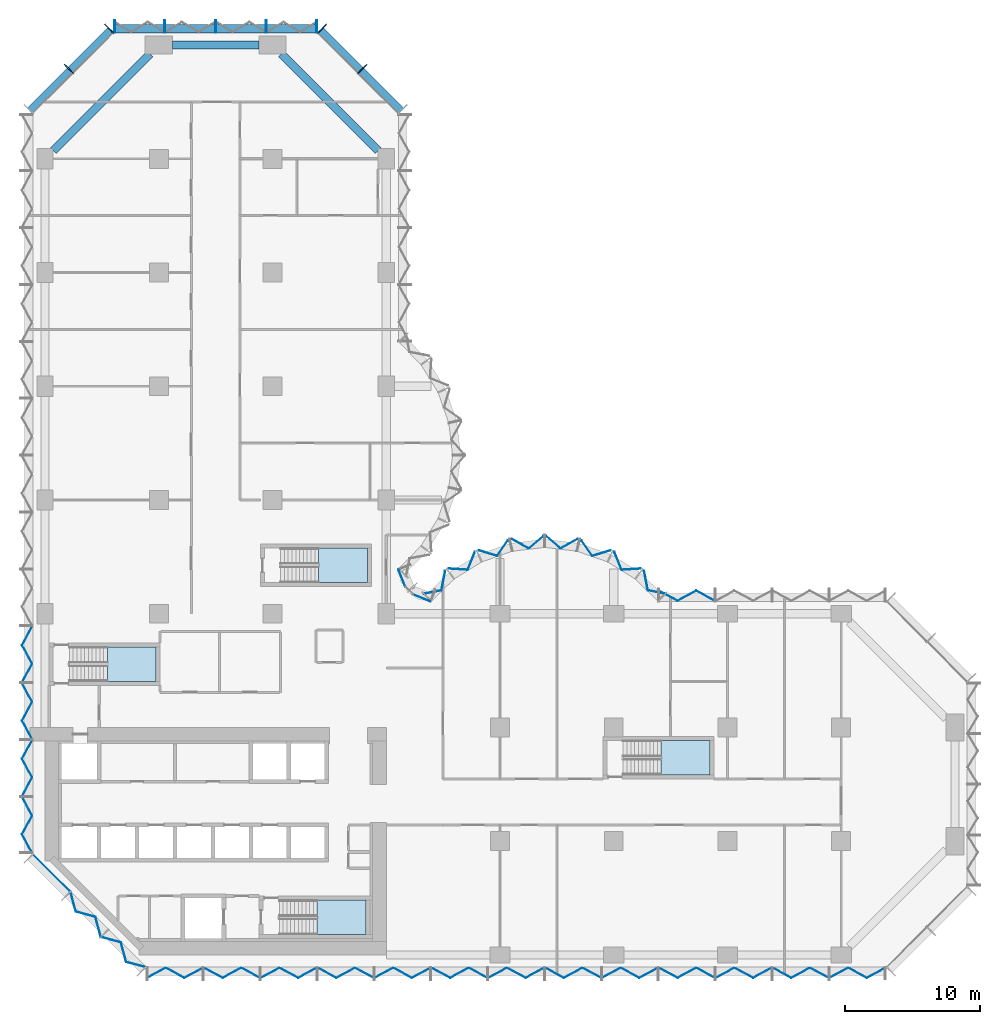
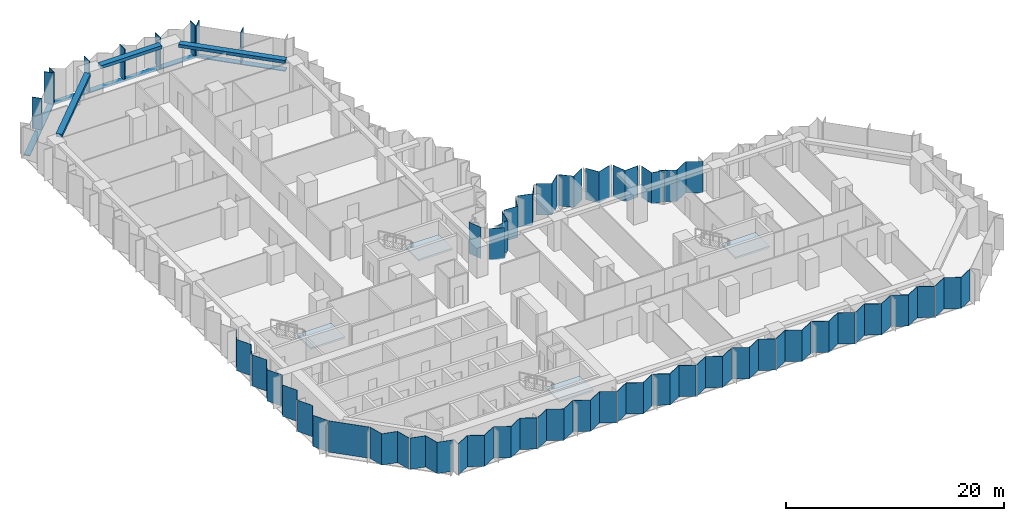
# One storey, part 5 of 15: 31 plates, 12 members, 4 slabs, 3 beams, 13 elements without a shape of their own.
"""IFC4 building model written with IfcOpenShell, lengths in metres."""

from ifc_helpers import new_model, si_unit, direction, frame, origin, origin_2d, place, context, subcontext, project, spatial, polyline, rectangle, outline, extrude, material, layer, layer_set, material_profile, profile_set, type_object, element, aggregate, save


model = new_model("IFC4")

# Units and contexts
model_context = context("Model", 3, precision=1e-05, world=origin(), true_north=direction((0.0, 1.0)))
body_context = subcontext(model_context, "Body", "Model", "MODEL_VIEW")
ifc_project = project(units=[si_unit("LENGTHUNIT", "METRE"), si_unit("AREAUNIT", "SQUARE_METRE"), si_unit("VOLUMEUNIT", "CUBIC_METRE"), si_unit("PLANEANGLEUNIT", "RADIAN"), si_unit("MASSUNIT", "GRAM", prefix="KILO")], contexts=[model_context])

# Site, building, storey
site_placement = place(None, origin())
site = spatial("IfcSite", under=ifc_project, at=site_placement, CompositionType="ELEMENT")
building_placement = place(site_placement, origin())
building = spatial("IfcBuilding", under=site, at=building_placement, Name="Brevane Broadcast Tower", CompositionType="ELEMENT")
storey_placement = place(building_placement, frame((0.0, 0.0, 72.5)))
storey = spatial("IfcBuildingStorey", under=building, at=storey_placement, Name="L16", CompositionType="ELEMENT", Elevation=72.5)

# Curtain wall, members
ifc_material_1 = material(Name="Aluminium 6063-T6 bronze anodised", Category="aluminium")
curtain_wall_type = type_object("IfcCurtainWallType", Name="CW-1 curtain wall", PredefinedType="NOTDEFINED", material=ifc_material_1)
curtain_wall_1_placement = place(storey_placement, origin())
curtain_wall_1 = element("IfcCurtainWall", 1, at=curtain_wall_1_placement, inside=storey, type_object=curtain_wall_type, Name="CW-1 typical tilted unit L16 north arm north-east chamfer", PredefinedType="NOTDEFINED")
ifc_material_profile_1 = material_profile(ifc_material_1, rectangle(XDim=0.949951171875, YDim=0.070068359375, at=origin_2d()), Name="RECT 70x950")
ifc_profile_set_1 = profile_set([ifc_material_profile_1], Name="Aluminium 6063-T6 bronze anodised")
member_type_1 = type_object("IfcMemberType", Name="CW-1 mullion 70x950", PredefinedType="MULLION", material=ifc_profile_set_1)
member_1_placement = place(storey_placement, frame((23.435791015625, 65.435791015625, -0.14990234375), z_axis=(0.0, 0.0, 1.0), x_axis=(-0.707106781187, -0.707106781187, 0.0)))
member_1 = element("IfcMember", 2, at=member_1_placement, type_object=member_type_1, Name="CW-1 mullion", PredefinedType="MULLION", context=body_context, shape_type="SweptSolid", body=[
    extrude(rectangle(XDim=0.949951171875, YDim=0.070068359375, at=origin_2d()), origin(), (0.0, 0.0, 1.0), 3.5),
])
member_2_placement = place(storey_placement, frame((20.460693359375, 68.4111328125, -0.14990234375), z_axis=(0.0, 0.0, 1.0), x_axis=(-0.707106781187, -0.707106781187, 0.0)))
member_2 = element("IfcMember", 3, at=member_2_placement, type_object=member_type_1, Name="CW-1 mullion", PredefinedType="MULLION", context=body_context, shape_type="SweptSolid", body=[
    extrude(rectangle(XDim=0.949951171875, YDim=0.070068359375, at=origin_2d()), origin(), (0.0, 0.0, 1.0), 3.5),
])

curtain_wall_2_placement = place(storey_placement, origin())
curtain_wall_2 = element("IfcCurtainWall", 4, at=curtain_wall_2_placement, inside=storey, type_object=curtain_wall_type, Name="CW-1 typical tilted unit L16 north end", PredefinedType="NOTDEFINED")
member_3_placement = place(storey_placement, frame((20.06494140625, 68.574951171875, -0.14990234375), z_axis=(0.0, 0.0, 1.0), x_axis=(0.0, -1.0, 0.0)))
member_3 = element("IfcMember", 5, at=member_3_placement, type_object=member_type_1, Name="CW-1 mullion", PredefinedType="MULLION", context=body_context, shape_type="SweptSolid", body=[
    extrude(rectangle(XDim=0.949951171875, YDim=0.070068359375, at=origin_2d()), origin(), (0.0, 0.0, 1.0), 3.5),
])
member_4_placement = place(storey_placement, frame((16.35009765625, 68.574951171875, -0.14990234375), z_axis=(0.0, 0.0, 1.0), x_axis=(0.0, -1.0, 0.0)))
member_4 = element("IfcMember", 6, at=member_4_placement, type_object=member_type_1, Name="CW-1 mullion", PredefinedType="MULLION", context=body_context, shape_type="SweptSolid", body=[
    extrude(rectangle(XDim=0.949951171875, YDim=0.070068359375, at=origin_2d()), origin(), (0.0, 0.0, 1.0), 3.5),
])
member_5_placement = place(storey_placement, frame((12.60009765625, 68.574951171875, -0.14990234375), z_axis=(0.0, 0.0, 1.0), x_axis=(0.0, -1.0, 0.0)))
member_5 = element("IfcMember", 7, at=member_5_placement, type_object=member_type_1, Name="CW-1 mullion", PredefinedType="MULLION", context=body_context, shape_type="SweptSolid", body=[
    extrude(rectangle(XDim=0.949951171875, YDim=0.070068359375, at=origin_2d()), origin(), (0.0, 0.0, 1.0), 3.5),
])
member_6_placement = place(storey_placement, frame((8.85009765625, 68.574951171875, -0.14990234375), z_axis=(0.0, 0.0, 1.0), x_axis=(0.0, -1.0, 0.0)))
member_6 = element("IfcMember", 8, at=member_6_placement, type_object=member_type_1, Name="CW-1 mullion", PredefinedType="MULLION", context=body_context, shape_type="SweptSolid", body=[
    extrude(rectangle(XDim=0.949951171875, YDim=0.070068359375, at=origin_2d()), origin(), (0.0, 0.0, 1.0), 3.5),
])
member_7_placement = place(storey_placement, frame((5.135009765625, 68.574951171875, -0.14990234375), z_axis=(0.0, 0.0, 1.0), x_axis=(0.0, -1.0, 0.0)))
member_7 = element("IfcMember", 9, at=member_7_placement, type_object=member_type_1, Name="CW-1 mullion", PredefinedType="MULLION", context=body_context, shape_type="SweptSolid", body=[
    extrude(rectangle(XDim=0.949951171875, YDim=0.070068359375, at=origin_2d()), origin(), (0.0, 0.0, 1.0), 3.5),
])

curtain_wall_3_placement = place(storey_placement, origin())
curtain_wall_3 = element("IfcCurtainWall", 10, at=curtain_wall_3_placement, inside=storey, type_object=curtain_wall_type, Name="CW-1 typical tilted unit L16 north-west chamfer", PredefinedType="NOTDEFINED")
member_8_placement = place(storey_placement, frame((4.7392578125, 68.4111328125, -0.14990234375), z_axis=(0.0, 0.0, 1.0), x_axis=(0.707106781187, -0.707106781187, 0.0)))
member_8 = element("IfcMember", 11, at=member_8_placement, type_object=member_type_1, Name="CW-1 mullion", PredefinedType="MULLION", context=body_context, shape_type="SweptSolid", body=[
    extrude(rectangle(XDim=0.949951171875, YDim=0.070068359375, at=origin_2d()), origin(), (0.0, 0.0, 1.0), 3.5),
])
member_9_placement = place(storey_placement, frame((1.76416015625, 65.435791015625, -0.14990234375), z_axis=(0.0, 0.0, 1.0), x_axis=(0.707106781187, -0.707106781187, 0.0)))
member_9 = element("IfcMember", 12, at=member_9_placement, type_object=member_type_1, Name="CW-1 mullion", PredefinedType="MULLION", context=body_context, shape_type="SweptSolid", body=[
    extrude(rectangle(XDim=0.949951171875, YDim=0.070068359375, at=origin_2d()), origin(), (0.0, 0.0, 1.0), 3.5),
])

# Member
ifc_material_profile_2 = material_profile(ifc_material_1, rectangle(XDim=0.60009765625, YDim=0.10009765625, at=origin_2d()), Name="RECT 100x600")
ifc_profile_set_2 = profile_set([ifc_material_profile_2], Name="Aluminium 6063-T6 bronze anodised")
member_type_2 = type_object("IfcMemberType", Name="CW-1 transom 100x600", PredefinedType="USERDEFINED", material=ifc_profile_set_2)
member_10_placement = place(storey_placement, frame((26.31201171875, 62.31201171875, -0.199951171875), z_axis=(-0.707106781187, 0.707106781187, 0.0), x_axis=(-0.707106781187, -0.707106781187, 0.0)))
member_10 = element("IfcMember", 13, at=member_10_placement, type_object=member_type_2, Name="CW-1 transom", ObjectType="TRANSOM", PredefinedType="USERDEFINED", context=body_context, shape_type="SweptSolid", body=[
    extrude(rectangle(XDim=0.60009765625, YDim=0.10009765625, at=origin_2d()), origin(), (0.0, 0.0, 1.0), 8.4853515625),
])

aggregate(curtain_wall_1, [member_1, member_2, member_10])

member_11_placement = place(storey_placement, frame((20.10009765625, 68.39990234375, -0.199951171875), z_axis=(-1.0, 0.0, 0.0), x_axis=(0.0, -1.0, 0.0)))
member_11 = element("IfcMember", 14, at=member_11_placement, type_object=member_type_2, Name="CW-1 transom", ObjectType="TRANSOM", PredefinedType="USERDEFINED", context=body_context, shape_type="SweptSolid", body=[
    extrude(rectangle(XDim=0.60009765625, YDim=0.10009765625, at=origin_2d()), origin(), (0.0, 0.0, 1.0), 15.0),
])

aggregate(curtain_wall_2, [member_3, member_4, member_5, member_6, member_7, member_11])

member_12_placement = place(storey_placement, frame((4.887939453125, 68.31201171875, -0.199951171875), z_axis=(-0.707106781187, -0.707106781187, 0.0), x_axis=(0.707106781187, -0.707106781187, 0.0)))
member_12 = element("IfcMember", 15, at=member_12_placement, type_object=member_type_2, Name="CW-1 transom", ObjectType="TRANSOM", PredefinedType="USERDEFINED", context=body_context, shape_type="SweptSolid", body=[
    extrude(rectangle(XDim=0.60009765625, YDim=0.10009765625, at=origin_2d()), origin(), (0.0, 0.0, 1.0), 8.4853515625),
])

aggregate(curtain_wall_3, [member_8, member_9, member_12])

# Beams
ifc_material_2 = material(Name="Concrete C40/50", Category="concrete")
ifc_material_profile_3 = material_profile(ifc_material_2, rectangle(XDim=0.60009765625, YDim=0.35009765625, at=origin_2d()), Name="RC 600x350")
ifc_profile_set_3 = profile_set([ifc_material_profile_3], Name="Concrete C40/50")
beam_type = type_object("IfcBeamType", Name="RC SPANDREL BEAM 600x350 C40/50", PredefinedType="SPANDREL", material=ifc_profile_set_3)
beam_1_placement = place(storey_placement, frame((24.60009765625, 59.39990234375, 3.175048828125), z_axis=(-0.707106781187, 0.707106781187, 0.0), x_axis=(-0.707106781187, -0.707106781187, 0.0)))
element("IfcBeam", 16, at=beam_1_placement, inside=storey, type_object=beam_type, Name="EB1 L16-16", PredefinedType="SPANDREL", context=body_context, shape_type="SweptSolid", body=[
    extrude(rectangle(XDim=0.60009765625, YDim=0.35009765625, at=origin_2d()), origin(), (0.0, 0.0, 1.0), 10.11181640625),
])
beam_2_placement = place(storey_placement, frame((15.800048828125, 67.199951171875, 3.175048828125), z_axis=(-1.0, 0.0, 0.0), x_axis=(0.0, -1.0, 0.0)))
element("IfcBeam", 17, at=beam_2_placement, inside=storey, type_object=beam_type, Name="EB1 L16-17", PredefinedType="SPANDREL", context=body_context, shape_type="SweptSolid", body=[
    extrude(rectangle(XDim=0.60009765625, YDim=0.35009765625, at=origin_2d()), origin(), (0.0, 0.0, 1.0), 6.400146484375),
])
beam_3_placement = place(storey_placement, frame((7.75, 66.550048828125, 3.175048828125), z_axis=(-0.707094708853, -0.707118853314, 0.0), x_axis=(0.707118853314, -0.707094708853, 0.0)))
element("IfcBeam", 18, at=beam_3_placement, inside=storey, type_object=beam_type, Name="EB1 L16-18", PredefinedType="SPANDREL", context=body_context, shape_type="SweptSolid", body=[
    extrude(rectangle(XDim=0.60009765625, YDim=0.35009765625, at=origin_2d()), origin(), (0.0, 0.0, 1.0), 10.111572265625),
])

# Curtain wall, plates
curtain_wall_4_placement = place(storey_placement, origin())
curtain_wall_4 = element("IfcCurtainWall", 19, at=curtain_wall_4_placement, inside=storey, type_object=curtain_wall_type, Name="CW-1 typical tilted unit L16 south face", PredefinedType="NOTDEFINED")
ifc_material_3 = material(Name="Laminated glass bronze-tinted", Category="glass")
ifc_layer_1 = layer(ifc_material_3, 0.0400390625)
ifc_layer_set_1 = layer_set([ifc_layer_1], Name="CW tall glass panel 40")
plate_type = type_object("IfcPlateType", Name="CW tall glass panel 40", PredefinedType="CURTAIN_PANEL", material=ifc_layer_set_1)
plate_1_placement = place(storey_placement, frame((0.0, 0.0, -0.14990234375)))
plate_1 = element("IfcPlate", 20, at=plate_1_placement, type_object=plate_type, Name="CW-1 glass panel", PredefinedType="CURTAIN_PANEL", context=body_context, shape_type="SweptSolid", body=[
    extrude(outline(polyline([(7.534912109375, -1.671630859375), (7.534912109375, -1.717041015625), (8.91162109375, -0.97265625), (10.288330078125, -1.717041015625), (11.6650390625, -0.97265625), (11.6650390625, -0.92724609375), (10.288330078125, -1.671630859375), (8.91162109375, -0.92724609375), (7.534912109375, -1.671630859375)])), origin(), (0.0, 0.0, 1.0), 3.5),
])
plate_2_placement = place(storey_placement, frame((0.0, 0.0, -0.14990234375)))
plate_2 = element("IfcPlate", 21, at=plate_2_placement, type_object=plate_type, Name="CW-1 glass panel", PredefinedType="CURTAIN_PANEL", context=body_context, shape_type="SweptSolid", body=[
    extrude(outline(polyline([(11.735107421875, -0.92724609375), (11.735107421875, -0.97265625), (13.11181640625, -1.717041015625), (14.48828125, -0.97265625), (15.864990234375, -1.717041015625), (15.864990234375, -1.671630859375), (14.48828125, -0.92724609375), (13.11181640625, -1.671630859375), (11.735107421875, -0.92724609375)])), origin(), (0.0, 0.0, 1.0), 3.5),
])
plate_3_placement = place(storey_placement, frame((0.0, 0.0, -0.14990234375)))
plate_3 = element("IfcPlate", 22, at=plate_3_placement, type_object=plate_type, Name="CW-1 glass panel", PredefinedType="CURTAIN_PANEL", context=body_context, shape_type="SweptSolid", body=[
    extrude(outline(polyline([(15.93505859375, -1.671630859375), (15.93505859375, -1.717041015625), (17.311767578125, -0.97265625), (18.688232421875, -1.717041015625), (20.06494140625, -0.97265625), (20.06494140625, -0.92724609375), (18.688232421875, -1.671630859375), (17.311767578125, -0.92724609375), (15.93505859375, -1.671630859375)])), origin(), (0.0, 0.0, 1.0), 3.5),
])
plate_4_placement = place(storey_placement, frame((0.0, 0.0, -0.14990234375)))
plate_4 = element("IfcPlate", 23, at=plate_4_placement, type_object=plate_type, Name="CW-1 glass panel", PredefinedType="CURTAIN_PANEL", context=body_context, shape_type="SweptSolid", body=[
    extrude(outline(polyline([(20.135009765625, -0.92724609375), (20.135009765625, -0.97265625), (21.51171875, -1.717041015625), (22.88818359375, -0.97265625), (24.264892578125, -1.717041015625), (24.264892578125, -1.671630859375), (22.88818359375, -0.92724609375), (21.51171875, -1.671630859375), (20.135009765625, -0.92724609375)])), origin(), (0.0, 0.0, 1.0), 3.5),
])
plate_5_placement = place(storey_placement, frame((0.0, 0.0, -0.14990234375)))
plate_5 = element("IfcPlate", 24, at=plate_5_placement, type_object=plate_type, Name="CW-1 glass panel", PredefinedType="CURTAIN_PANEL", context=body_context, shape_type="SweptSolid", body=[
    extrude(outline(polyline([(24.3349609375, -1.671630859375), (24.3349609375, -1.717041015625), (25.711669921875, -0.97265625), (27.08837890625, -1.717041015625), (28.465087890625, -0.97265625), (28.465087890625, -0.92724609375), (27.08837890625, -1.671630859375), (25.711669921875, -0.92724609375), (24.3349609375, -1.671630859375)])), origin(), (0.0, 0.0, 1.0), 3.5),
])
plate_6_placement = place(storey_placement, frame((0.0, 0.0, -0.14990234375)))
plate_6 = element("IfcPlate", 25, at=plate_6_placement, type_object=plate_type, Name="CW-1 glass panel", PredefinedType="CURTAIN_PANEL", context=body_context, shape_type="SweptSolid", body=[
    extrude(outline(polyline([(28.534912109375, -0.92724609375), (28.534912109375, -0.97265625), (29.91162109375, -1.717041015625), (31.288330078125, -0.97265625), (32.6650390625, -1.717041015625), (32.6650390625, -1.671630859375), (31.288330078125, -0.92724609375), (29.91162109375, -1.671630859375), (28.534912109375, -0.92724609375)])), origin(), (0.0, 0.0, 1.0), 3.5),
])
plate_7_placement = place(storey_placement, frame((0.0, 0.0, -0.14990234375)))
plate_7 = element("IfcPlate", 26, at=plate_7_placement, type_object=plate_type, Name="CW-1 glass panel", PredefinedType="CURTAIN_PANEL", context=body_context, shape_type="SweptSolid", body=[
    extrude(outline(polyline([(32.735107421875, -1.671630859375), (32.735107421875, -1.717041015625), (34.11181640625, -0.97265625), (35.48828125, -1.717041015625), (36.864990234375, -0.97265625), (36.864990234375, -0.92724609375), (35.48828125, -1.671630859375), (34.11181640625, -0.92724609375), (32.735107421875, -1.671630859375)])), origin(), (0.0, 0.0, 1.0), 3.5),
])
plate_8_placement = place(storey_placement, frame((0.0, 0.0, -0.14990234375)))
plate_8 = element("IfcPlate", 27, at=plate_8_placement, type_object=plate_type, Name="CW-1 glass panel", PredefinedType="CURTAIN_PANEL", context=body_context, shape_type="SweptSolid", body=[
    extrude(outline(polyline([(36.93505859375, -0.92724609375), (36.93505859375, -0.97265625), (38.311767578125, -1.717041015625), (39.688232421875, -0.97265625), (41.06494140625, -1.717041015625), (41.06494140625, -1.671630859375), (39.688232421875, -0.92724609375), (38.311767578125, -1.671630859375), (36.93505859375, -0.92724609375)])), origin(), (0.0, 0.0, 1.0), 3.5),
])
plate_9_placement = place(storey_placement, frame((0.0, 0.0, -0.14990234375)))
plate_9 = element("IfcPlate", 28, at=plate_9_placement, type_object=plate_type, Name="CW-1 glass panel", PredefinedType="CURTAIN_PANEL", context=body_context, shape_type="SweptSolid", body=[
    extrude(outline(polyline([(41.135009765625, -1.671630859375), (41.135009765625, -1.717041015625), (42.51171875, -0.97265625), (43.88818359375, -1.717041015625), (45.264892578125, -0.97265625), (45.264892578125, -0.92724609375), (43.88818359375, -1.671630859375), (42.51171875, -0.92724609375), (41.135009765625, -1.671630859375)])), origin(), (0.0, 0.0, 1.0), 3.5),
])
plate_10_placement = place(storey_placement, frame((0.0, 0.0, -0.14990234375)))
plate_10 = element("IfcPlate", 29, at=plate_10_placement, type_object=plate_type, Name="CW-1 glass panel", PredefinedType="CURTAIN_PANEL", context=body_context, shape_type="SweptSolid", body=[
    extrude(outline(polyline([(45.3349609375, -0.92724609375), (45.3349609375, -0.97265625), (46.711669921875, -1.717041015625), (48.08837890625, -0.97265625), (49.465087890625, -1.717041015625), (49.465087890625, -1.671630859375), (48.08837890625, -0.92724609375), (46.711669921875, -1.671630859375), (45.3349609375, -0.92724609375)])), origin(), (0.0, 0.0, 1.0), 3.5),
])
plate_11_placement = place(storey_placement, frame((0.0, 0.0, -0.14990234375)))
plate_11 = element("IfcPlate", 30, at=plate_11_placement, type_object=plate_type, Name="CW-1 glass panel", PredefinedType="CURTAIN_PANEL", context=body_context, shape_type="SweptSolid", body=[
    extrude(outline(polyline([(49.534912109375, -1.671630859375), (49.534912109375, -1.717041015625), (50.91162109375, -0.97265625), (52.288330078125, -1.717041015625), (53.6650390625, -0.97265625), (53.6650390625, -0.92724609375), (52.288330078125, -1.671630859375), (50.91162109375, -0.92724609375), (49.534912109375, -1.671630859375)])), origin(), (0.0, 0.0, 1.0), 3.5),
])
plate_12_placement = place(storey_placement, frame((0.0, 0.0, -0.14990234375)))
plate_12 = element("IfcPlate", 31, at=plate_12_placement, type_object=plate_type, Name="CW-1 glass panel", PredefinedType="CURTAIN_PANEL", context=body_context, shape_type="SweptSolid", body=[
    extrude(outline(polyline([(53.735107421875, -0.92724609375), (53.735107421875, -0.97265625), (55.11181640625, -1.717041015625), (56.48828125, -0.97265625), (57.864990234375, -1.717041015625), (57.864990234375, -1.671630859375), (56.48828125, -0.92724609375), (55.11181640625, -1.671630859375), (53.735107421875, -0.92724609375)])), origin(), (0.0, 0.0, 1.0), 3.5),
])
plate_13_placement = place(storey_placement, frame((0.0, 0.0, -0.14990234375)))
plate_13 = element("IfcPlate", 32, at=plate_13_placement, type_object=plate_type, Name="CW-1 glass panel", PredefinedType="CURTAIN_PANEL", context=body_context, shape_type="SweptSolid", body=[
    extrude(outline(polyline([(57.93505859375, -1.671630859375), (57.93505859375, -1.717041015625), (59.311767578125, -0.97265625), (60.688232421875, -1.717041015625), (62.06494140625, -0.97265625), (62.06494140625, -0.92724609375), (60.688232421875, -1.671630859375), (59.311767578125, -0.92724609375), (57.93505859375, -1.671630859375)])), origin(), (0.0, 0.0, 1.0), 3.5),
])
aggregate(curtain_wall_4, [plate_1, plate_2, plate_3, plate_4, plate_5, plate_6, plate_7, plate_8, plate_9, plate_10, plate_11, plate_12, plate_13])

# Curtain wall, plate
curtain_wall_5_placement = place(storey_placement, origin())
curtain_wall_5 = element("IfcCurtainWall", 33, at=curtain_wall_5_placement, inside=storey, type_object=curtain_wall_type, Name="CW-1 typical tilted unit L16 east arm north face", PredefinedType="NOTDEFINED")
plate_14_placement = place(storey_placement, frame((0.0, 0.0, -0.14990234375)))
plate_14 = element("IfcPlate", 34, at=plate_14_placement, type_object=plate_type, Name="CW-1 glass panel", PredefinedType="CURTAIN_PANEL", context=body_context, shape_type="SweptSolid", body=[
    extrude(outline(polyline([(49.465087890625, 26.127197265625), (49.465087890625, 26.172607421875), (48.08837890625, 26.9169921875), (46.711669921875, 26.172607421875), (45.3349609375, 26.9169921875), (45.3349609375, 26.87158203125), (46.711669921875, 26.127197265625), (48.08837890625, 26.87158203125), (49.465087890625, 26.127197265625)])), origin(), (0.0, 0.0, 1.0), 3.5),
])
aggregate(curtain_wall_5, [plate_14])

# Curtain wall, plates
curtain_wall_6_placement = place(storey_placement, origin())
curtain_wall_6 = element("IfcCurtainWall", 35, at=curtain_wall_6_placement, inside=storey, type_object=curtain_wall_type, Name="CW-1 typical tilted unit L16 east bow", PredefinedType="NOTDEFINED")
plate_15_placement = place(storey_placement, frame((0.0, 0.0, -0.14990234375)))
plate_15 = element("IfcPlate", 36, at=plate_15_placement, type_object=plate_type, Name="CW-1 glass panel", PredefinedType="CURTAIN_PANEL", context=body_context, shape_type="SweptSolid", body=[
    extrude(outline(polyline([(45.79150390625, 26.656005859375), (45.82470703125, 26.690185546875), (44.539306640625, 26.9423828125), (44.263916015625, 28.3857421875), (44.231201171875, 28.34375), (44.5048828125, 26.908203125), (45.79150390625, 26.656005859375)])), origin(), (0.0, 0.0, 1.0), 3.5),
])
plate_16_placement = place(storey_placement, frame((0.0, 0.0, -0.14990234375)))
plate_16 = element("IfcPlate", 37, at=plate_16_placement, type_object=plate_type, Name="CW-1 glass panel", PredefinedType="CURTAIN_PANEL", context=body_context, shape_type="SweptSolid", body=[
    extrude(outline(polyline([(43.950439453125, 28.5087890625), (43.9833984375, 28.551025390625), (42.601318359375, 28.462890625), (42.0703125, 29.76171875), (42.046875, 29.712890625), (42.5751953125, 28.42138671875), (43.950439453125, 28.5087890625)])), origin(), (0.0, 0.0, 1.0), 3.5),
])
plate_17_placement = place(storey_placement, frame((0.0, 0.0, -0.14990234375)))
plate_17 = element("IfcPlate", 38, at=plate_17_placement, type_object=plate_type, Name="CW-1 glass panel", PredefinedType="CURTAIN_PANEL", context=body_context, shape_type="SweptSolid", body=[
    extrude(outline(polyline([(41.75537109375, 29.851806640625), (41.778564453125, 29.900634765625), (40.435546875, 29.494384765625), (39.6328125, 30.622802734375), (39.62060546875, 30.57080078125), (40.41943359375, 29.44775390625), (41.75537109375, 29.851806640625)])), origin(), (0.0, 0.0, 1.0), 3.5),
])
plate_18_placement = place(storey_placement, frame((0.0, 0.0, -0.14990234375)))
plate_18 = element("IfcPlate", 39, at=plate_18_placement, type_object=plate_type, Name="CW-1 glass panel", PredefinedType="CURTAIN_PANEL", context=body_context, shape_type="SweptSolid", body=[
    extrude(outline(polyline([(39.31640625, 30.68798828125), (39.328369140625, 30.740478515625), (38.069580078125, 30.036376953125), (37.008056640625, 30.94921875), (37.008056640625, 30.896484375), (38.064697265625, 29.98779296875), (39.31640625, 30.68798828125)])), origin(), (0.0, 0.0, 1.0), 3.5),
])
plate_19_placement = place(storey_placement, frame((0.0, 0.0, -0.14990234375)))
plate_19 = element("IfcPlate", 40, at=plate_19_placement, type_object=plate_type, Name="CW-1 glass panel", PredefinedType="CURTAIN_PANEL", context=body_context, shape_type="SweptSolid", body=[
    extrude(outline(polyline([(36.7919921875, 30.896484375), (36.7919921875, 30.94921875), (35.730224609375, 30.036376953125), (34.4716796875, 30.740478515625), (34.483642578125, 30.68798828125), (35.735107421875, 29.98779296875), (36.7919921875, 30.896484375)])), origin(), (0.0, 0.0, 1.0), 3.5),
])
plate_20_placement = place(storey_placement, frame((0.0, 0.0, -0.14990234375)))
plate_20 = element("IfcPlate", 41, at=plate_20_placement, type_object=plate_type, Name="CW-1 glass panel", PredefinedType="CURTAIN_PANEL", context=body_context, shape_type="SweptSolid", body=[
    extrude(outline(polyline([(34.17919921875, 30.57080078125), (34.167236328125, 30.622802734375), (33.364501953125, 29.494384765625), (32.021484375, 29.900634765625), (32.044677734375, 29.851806640625), (33.380615234375, 29.44775390625), (34.17919921875, 30.57080078125)])), origin(), (0.0, 0.0, 1.0), 3.5),
])
plate_21_placement = place(storey_placement, frame((0.0, 0.0, -0.14990234375)))
plate_21 = element("IfcPlate", 42, at=plate_21_placement, type_object=plate_type, Name="CW-1 glass panel", PredefinedType="CURTAIN_PANEL", context=body_context, shape_type="SweptSolid", body=[
    extrude(outline(polyline([(31.753173828125, 29.712890625), (31.729736328125, 29.76171875), (31.198486328125, 28.462890625), (29.816650390625, 28.551025390625), (29.849609375, 28.5087890625), (31.224609375, 28.42138671875), (31.753173828125, 29.712890625)])), origin(), (0.0, 0.0, 1.0), 3.5),
])
plate_22_placement = place(storey_placement, frame((0.0, 0.0, -0.14990234375)))
plate_22 = element("IfcPlate", 43, at=plate_22_placement, type_object=plate_type, Name="CW-1 glass panel", PredefinedType="CURTAIN_PANEL", context=body_context, shape_type="SweptSolid", body=[
    extrude(outline(polyline([(29.568603515625, 28.34375), (29.535888671875, 28.3857421875), (29.2607421875, 26.9423828125), (27.975341796875, 26.690185546875), (28.008544921875, 26.656005859375), (29.294921875, 26.908203125), (29.568603515625, 28.34375)])), origin(), (0.0, 0.0, 1.0), 3.5),
])
aggregate(curtain_wall_6, [plate_15, plate_16, plate_17, plate_18, plate_19, plate_20, plate_21, plate_22])

curtain_wall_7_placement = place(storey_placement, origin())
curtain_wall_7 = element("IfcCurtainWall", 44, at=curtain_wall_7_placement, inside=storey, type_object=curtain_wall_type, Name="CW-1 typical tilted unit L16 inner corner", PredefinedType="NOTDEFINED")
plate_23_placement = place(storey_placement, frame((0.0, 0.0, -0.14990234375)))
plate_23 = element("IfcPlate", 45, at=plate_23_placement, type_object=plate_type, Name="CW-1 glass panel", PredefinedType="CURTAIN_PANEL", context=body_context, shape_type="SweptSolid", body=[
    extrude(outline(polyline([(28.45166015625, 26.07470703125), (28.466796875, 26.111572265625), (27.2021484375, 26.635498046875), (27.17138671875, 26.60498046875), (28.45166015625, 26.07470703125)])), origin(), (0.0, 0.0, 1.0), 3.5),
])
plate_24_placement = place(storey_placement, frame((0.0, 0.0, -0.14990234375)))
plate_24 = element("IfcPlate", 46, at=plate_24_placement, type_object=plate_type, Name="CW-1 glass panel", PredefinedType="CURTAIN_PANEL", context=body_context, shape_type="SweptSolid", body=[
    extrude(outline(polyline([(26.60498046875, 27.17138671875), (26.635498046875, 27.2021484375), (26.111572265625, 28.466796875), (26.07470703125, 28.45166015625), (26.60498046875, 27.17138671875)])), origin(), (0.0, 0.0, 1.0), 3.5),
])
aggregate(curtain_wall_7, [plate_23, plate_24])

curtain_wall_8_placement = place(storey_placement, origin())
curtain_wall_8 = element("IfcCurtainWall", 47, at=curtain_wall_8_placement, inside=storey, type_object=curtain_wall_type, Name="CW-1 typical tilted unit L16 west face", PredefinedType="NOTDEFINED")
plate_25_placement = place(storey_placement, frame((0.0, 0.0, -0.14990234375)))
plate_25 = element("IfcPlate", 48, at=plate_25_placement, type_object=plate_type, Name="CW-1 glass panel", PredefinedType="CURTAIN_PANEL", context=body_context, shape_type="SweptSolid", body=[
    extrude(outline(polyline([(-0.92724609375, 24.264892578125), (-0.97265625, 24.264892578125), (-1.717041015625, 22.88818359375), (-0.97265625, 21.51171875), (-1.717041015625, 20.135009765625), (-1.671630859375, 20.135009765625), (-0.92724609375, 21.51171875), (-1.671630859375, 22.88818359375), (-0.92724609375, 24.264892578125)])), origin(), (0.0, 0.0, 1.0), 3.5),
])
plate_26_placement = place(storey_placement, frame((0.0, 0.0, -0.14990234375)))
plate_26 = element("IfcPlate", 49, at=plate_26_placement, type_object=plate_type, Name="CW-1 glass panel", PredefinedType="CURTAIN_PANEL", context=body_context, shape_type="SweptSolid", body=[
    extrude(outline(polyline([(-1.671630859375, 20.06494140625), (-1.717041015625, 20.06494140625), (-0.97265625, 18.688232421875), (-1.717041015625, 17.311767578125), (-0.97265625, 15.93505859375), (-0.92724609375, 15.93505859375), (-1.671630859375, 17.311767578125), (-0.92724609375, 18.688232421875), (-1.671630859375, 20.06494140625)])), origin(), (0.0, 0.0, 1.0), 3.5),
])
plate_27_placement = place(storey_placement, frame((0.0, 0.0, -0.14990234375)))
plate_27 = element("IfcPlate", 50, at=plate_27_placement, type_object=plate_type, Name="CW-1 glass panel", PredefinedType="CURTAIN_PANEL", context=body_context, shape_type="SweptSolid", body=[
    extrude(outline(polyline([(-0.92724609375, 15.864990234375), (-0.97265625, 15.864990234375), (-1.717041015625, 14.48828125), (-0.97265625, 13.11181640625), (-1.717041015625, 11.735107421875), (-1.671630859375, 11.735107421875), (-0.92724609375, 13.11181640625), (-1.671630859375, 14.48828125), (-0.92724609375, 15.864990234375)])), origin(), (0.0, 0.0, 1.0), 3.5),
])
plate_28_placement = place(storey_placement, frame((0.0, 0.0, -0.14990234375)))
plate_28 = element("IfcPlate", 51, at=plate_28_placement, type_object=plate_type, Name="CW-1 glass panel", PredefinedType="CURTAIN_PANEL", context=body_context, shape_type="SweptSolid", body=[
    extrude(outline(polyline([(-1.671630859375, 11.6650390625), (-1.717041015625, 11.6650390625), (-0.97265625, 10.288330078125), (-1.717041015625, 8.91162109375), (-0.97265625, 7.534912109375), (-0.92724609375, 7.534912109375), (-1.671630859375, 8.91162109375), (-0.92724609375, 10.288330078125), (-1.671630859375, 11.6650390625)])), origin(), (0.0, 0.0, 1.0), 3.5),
])
aggregate(curtain_wall_8, [plate_25, plate_26, plate_27, plate_28])

curtain_wall_9_placement = place(storey_placement, origin())
curtain_wall_9 = element("IfcCurtainWall", 52, at=curtain_wall_9_placement, inside=storey, type_object=curtain_wall_type, Name="CW-1 typical tilted unit L16 south-west chamfer", PredefinedType="NOTDEFINED")
plate_29_placement = place(storey_placement, frame((0.0, 0.0, -0.14990234375)))
plate_29 = element("IfcPlate", 53, at=plate_29_placement, type_object=plate_type, Name="CW-1 glass panel", PredefinedType="CURTAIN_PANEL", context=body_context, shape_type="SweptSolid", body=[
    extrude(outline(polyline([(-0.896484375, 7.4541015625), (1.85400390625, 4.70361328125), (1.82568359375, 4.67529296875), (-0.9248046875, 7.42578125), (-0.896484375, 7.4541015625)])), origin(), (0.0, 0.0, 1.0), 3.5),
])
plate_30_placement = place(storey_placement, frame((0.0, 0.0, -0.14990234375)))
plate_30 = element("IfcPlate", 54, at=plate_30_placement, type_object=plate_type, Name="CW-1 glass panel", PredefinedType="CURTAIN_PANEL", context=body_context, shape_type="SweptSolid", body=[
    extrude(outline(polyline([(1.90576171875, 4.65625), (1.873046875, 4.62353515625), (2.263671875, 3.180419921875), (3.706787109375, 2.789794921875), (4.09716796875, 1.3466796875), (4.1298828125, 1.37939453125), (3.739501953125, 2.822509765625), (2.296142578125, 3.212890625), (1.90576171875, 4.65625)])), origin(), (0.0, 0.0, 1.0), 3.5),
])
plate_31_placement = place(storey_placement, frame((0.0, 0.0, -0.14990234375)))
plate_31 = element("IfcPlate", 55, at=plate_31_placement, type_object=plate_type, Name="CW-1 glass panel", PredefinedType="CURTAIN_PANEL", context=body_context, shape_type="SweptSolid", body=[
    extrude(outline(polyline([(4.17919921875, 1.329833984375), (4.146728515625, 1.297119140625), (5.58984375, 0.90673828125), (5.98046875, -0.536376953125), (7.423583984375, -0.927001953125), (7.456298828125, -0.894287109375), (6.012939453125, -0.50390625), (5.62255859375, 0.939453125), (4.17919921875, 1.329833984375)])), origin(), (0.0, 0.0, 1.0), 3.5),
])
aggregate(curtain_wall_9, [plate_29, plate_30, plate_31])

# Stair, slab
ifc_material_4 = material(Name="Concrete C50/60", Category="concrete")
stair_type = type_object("IfcStairType", Name="Exit stair 22 risers", PredefinedType="HALF_TURN_STAIR", material=ifc_material_4)
stair_1_placement = place(storey_placement, origin())
stair_1 = element("IfcStair", 56, at=stair_1_placement, inside=storey, type_object=stair_type, Name="L16 Exit stair ST-1", PredefinedType="HALF_TURN_STAIR")
ifc_layer_2 = layer(ifc_material_4, 0.199951171875)
ifc_layer_set_2 = layer_set([ifc_layer_2], Name="Exit stair landing")
slab_type = type_object("IfcSlabType", Name="Exit stair landing", PredefinedType="LANDING", material=ifc_layer_set_2)
slab_1_placement = place(storey_placement, frame((0.0, 0.0, 1.60009765625)))
slab_1 = element("IfcSlab", 57, at=slab_1_placement, type_object=slab_type, Name="ST-1 landing 1", PredefinedType="LANDING", context=body_context, shape_type="SweptSolid", body=[
    extrude(outline(polyline([(4.60009765625, 20.199951171875), (8.199951171875, 20.199951171875), (8.199951171875, 22.75), (4.60009765625, 22.75), (4.60009765625, 20.199951171875)])), origin(), (0.0, 0.0, 1.0), 0.199951171875),
])
aggregate(stair_1, [slab_1])

stair_2_placement = place(storey_placement, origin())
stair_2 = element("IfcStair", 58, at=stair_2_placement, inside=storey, type_object=stair_type, Name="L16 Exit stair ST-2", PredefinedType="HALF_TURN_STAIR")
slab_2_placement = place(storey_placement, frame((0.0, 0.0, 1.60009765625)))
slab_2 = element("IfcSlab", 59, at=slab_2_placement, type_object=slab_type, Name="ST-2 landing 1", PredefinedType="LANDING", context=body_context, shape_type="SweptSolid", body=[
    extrude(outline(polyline([(20.10009765625, 1.5), (23.699951171875, 1.5), (23.699951171875, 4.050048828125), (20.10009765625, 4.050048828125), (20.10009765625, 1.5)])), origin(), (0.0, 0.0, 1.0), 0.199951171875),
])
aggregate(stair_2, [slab_2])

stair_3_placement = place(storey_placement, origin())
stair_3 = element("IfcStair", 60, at=stair_3_placement, inside=storey, type_object=stair_type, Name="L16 Exit stair ST-3", PredefinedType="HALF_TURN_STAIR")
slab_3_placement = place(storey_placement, frame((0.0, 0.0, 1.60009765625)))
slab_3 = element("IfcSlab", 61, at=slab_3_placement, type_object=slab_type, Name="ST-3 landing 1", PredefinedType="LANDING", context=body_context, shape_type="SweptSolid", body=[
    extrude(outline(polyline([(20.199951171875, 27.5), (23.800048828125, 27.5), (23.800048828125, 30.050048828125), (20.199951171875, 30.050048828125), (20.199951171875, 27.5)])), origin(), (0.0, 0.0, 1.0), 0.199951171875),
])
aggregate(stair_3, [slab_3])

stair_4_placement = place(storey_placement, origin())
stair_4 = element("IfcStair", 62, at=stair_4_placement, inside=storey, type_object=stair_type, Name="L16 Exit stair ST-4", PredefinedType="HALF_TURN_STAIR")
slab_4_placement = place(storey_placement, frame((0.0, 0.0, 1.60009765625)))
slab_4 = element("IfcSlab", 63, at=slab_4_placement, type_object=slab_type, Name="ST-4 landing 1", PredefinedType="LANDING", context=body_context, shape_type="SweptSolid", body=[
    extrude(outline(polyline([(45.5, 13.300048828125), (49.10009765625, 13.300048828125), (49.10009765625, 15.85009765625), (45.5, 15.85009765625), (45.5, 13.300048828125)])), origin(), (0.0, 0.0, 1.0), 0.199951171875),
])
aggregate(stair_4, [slab_4])

save(model, "model.ifc")
